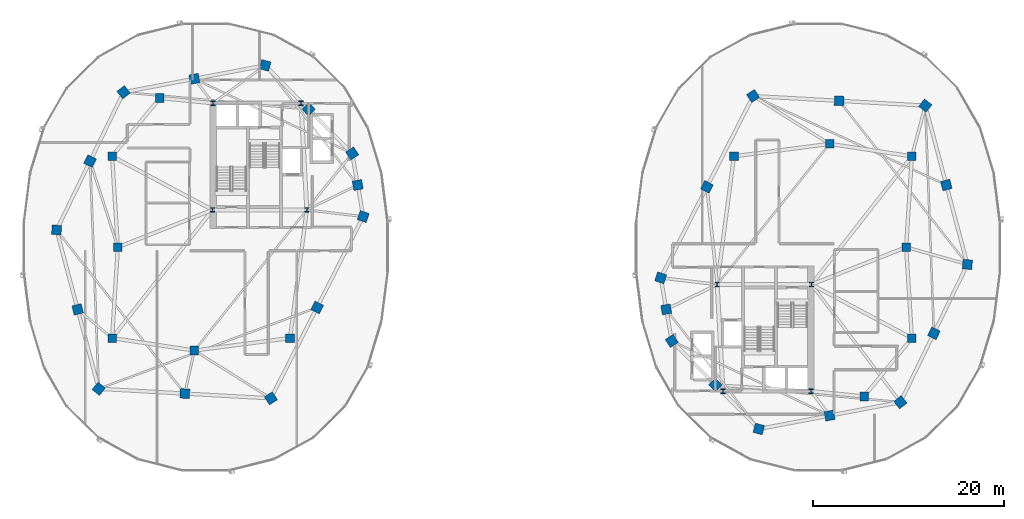
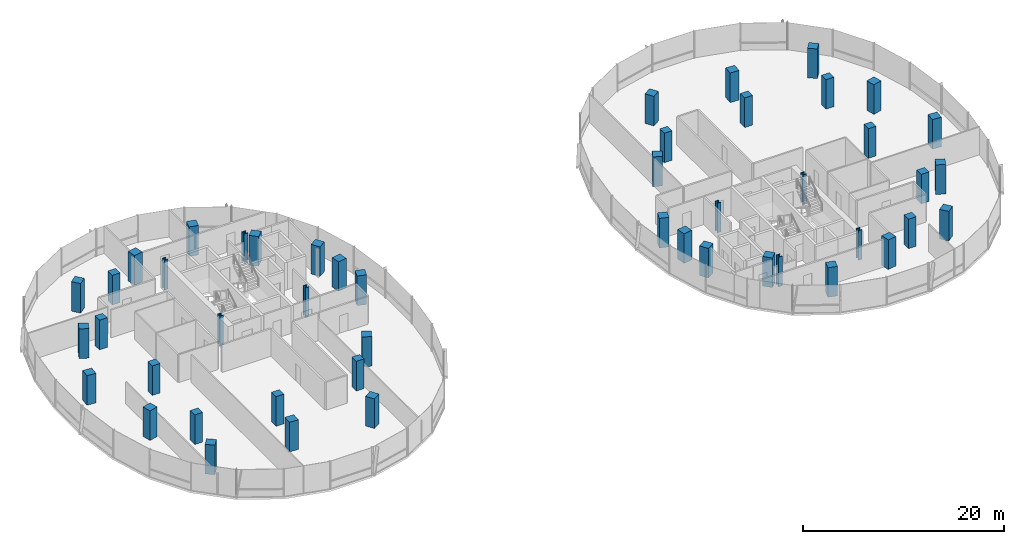
# One storey, part 1 of 22: 48 columns.
"""IFC4 building model written with IfcOpenShell, lengths in metres."""

from ifc_helpers import new_model, si_unit, direction, frame, origin, origin_2d, place, context, subcontext, project, spatial, rectangle, i_section, extrude, material, material_profile, profile_set, type_object, element, save


model = new_model("IFC4")

# Units and contexts
model_context = context("Model", 3, precision=1e-05, world=origin(), true_north=direction((0.0, 1.0)))
body_context = subcontext(model_context, "Body", "Model", "MODEL_VIEW")
ifc_project = project(units=[si_unit("LENGTHUNIT", "METRE"), si_unit("AREAUNIT", "SQUARE_METRE"), si_unit("VOLUMEUNIT", "CUBIC_METRE"), si_unit("PLANEANGLEUNIT", "RADIAN"), si_unit("MASSUNIT", "GRAM", prefix="KILO"), si_unit("THERMODYNAMICTEMPERATUREUNIT", "KELVIN"), si_unit("POWERUNIT", "WATT")], contexts=[model_context])

# Site, building, storey
site_placement = place(None, origin())
site = spatial("IfcSite", under=ifc_project, at=site_placement, CompositionType="ELEMENT")
building_placement = place(site_placement, origin())
building = spatial("IfcBuilding", under=site, at=building_placement, Name="Cundina Bronze Exchange", CompositionType="ELEMENT")
storey_placement = place(building_placement, frame((0.0, 0.0, 144.0)))
storey = spatial("IfcBuildingStorey", under=building, at=storey_placement, Name="L37", CompositionType="ELEMENT", Elevation=144.0)

# Columns
ifc_material_1 = material(Name="Steel ASTM A992 Grade 50", Category="steel")
ifc_material_profile_1 = material_profile(ifc_material_1, i_section(OverallWidth=0.431884765625, OverallDepth=0.498046875, WebThickness=0.0556640625, FlangeThickness=0.0888671875, FilletRadius=0.01806640625, at=origin_2d()), Name="W14X500", Category="steel")
ifc_profile_set_1 = profile_set([ifc_material_profile_1], Name="Steel ASTM A992 Grade 50")
column_type_1 = type_object("IfcColumnType", Name="COL-STL-W14A", PredefinedType="COLUMN", material=ifc_profile_set_1)
for number, where, z_axis, x_axis, name in (
    (1, (-31.300048828125, 3.89990234375, 0.0), (0.0, 0.0, 1.0), (1.0, 0.0, 0.0), "L37 Core Anchor Column W1"),
    (2, (-21.449951171875, 3.89990234375, 0.0), (0.0, 0.0, 1.0), (1.0, 0.0, 0.0), "L37 Core Anchor Column W2"),
    (3, (-22.050048828125, 15.050048828125, 0.0), (0.0, 0.0, 1.0), (1.0, 0.0, 0.0), "L37 Core Anchor Column W3"),
    (4, (-31.25, 15.050048828125, 0.0), (0.0, 0.0, 1.0), (1.0, 0.0, 0.0), "L37 Core Anchor Column W4"),
    (5, (31.300048828125, -3.89990234375, 0.0), (0.0, 0.0, 1.0), (1.0, 0.0, 0.0), "L37 Core Anchor Column E1"),
    (6, (21.449951171875, -3.89990234375, 0.0), (0.0, 0.0, 1.0), (1.0, 0.0, 0.0), "L37 Core Anchor Column E2"),
    (7, (22.050048828125, -15.050048828125, 0.0), (0.0, 0.0, 1.0), (1.0, 0.0, 0.0), "L37 Core Anchor Column E3"),
    (8, (31.25, -15.050048828125, 0.0), (0.0, 0.0, 1.0), (1.0, 0.0, 0.0), "L37 Core Anchor Column E4"),
):
    element("IfcColumn", number, at=place(storey_placement, frame(where, z_axis=z_axis, x_axis=x_axis)), inside=storey, type_object=column_type_1, Name=name, PredefinedType="COLUMN", context=body_context, shape_type="SweptSolid", body=[
        extrude(i_section(OverallWidth=0.431884765625, OverallDepth=0.498046875, WebThickness=0.0556640625, FlangeThickness=0.0888671875, FilletRadius=0.01806640625, at=origin_2d()), origin(), (0.0, 0.0, 1.0), 3.60009765625),
    ])
ifc_material_2 = material(Name="Concrete C50/60", Category="concrete")
ifc_material_profile_2 = material_profile(ifc_material_2, rectangle(XDim=1.0, YDim=1.0, at=origin_2d()), Name="RC1000X1000", Category="concrete")
ifc_profile_set_2 = profile_set([ifc_material_profile_2], Name="Concrete C50/60")
column_type_2 = type_object("IfcColumnType", Name="COL-Z3-1000", PredefinedType="COLUMN", material=ifc_profile_set_2)
for number, where, z_axis, x_axis, name in (
    (9, (-15.550048828125, 3.199951171875, 0.0), (0.0, 0.0, 1.0), (0.315152163383, 0.949041155016, 0.0), "L37 W Perimeter Column 00"),
    (10, (-16.125, 6.5, 0.0), (0.0, 0.0, 1.0), (-0.171585221787, 0.985169280715, 0.0), "L37 W Perimeter Column 01"),
    (11, (-16.699951171875, 9.800048828125, 0.0), (0.0, 0.0, 1.0), (-0.544199833495, 0.838955625301, 0.0), "L37 W Perimeter Column 02"),
    (12, (-21.25, 14.39990234375, 0.0), (0.0, 0.0, 1.0), (-0.703270634186, 0.710922228581, 0.0), "L37 W Perimeter Column 03"),
    (13, (-25.800048828125, 19.0, 0.0), (0.0, 0.0, 1.0), (-0.965970984022, 0.258650455301, 0.0), "L37 W Perimeter Column 04"),
    (14, (-33.199951171875, 17.60009765625, 0.0), (0.0, 0.0, 1.0), (-0.98258037664, -0.185838110843, 0.0), "L37 W Perimeter Column 05"),
    (15, (-40.60009765625, 16.199951171875, 0.0), (0.0, 0.0, 1.0), (-0.785100778485, -0.619368038909, 0.0), "L37 W Perimeter Column 06"),
    (16, (-44.10009765625, 9.0, 0.0), (0.0, 0.0, 1.0), (-0.437115766651, -0.899405251566, 0.0), "L37 W Perimeter Column 07"),
    (17, (-47.60009765625, 1.800048828125, 0.0), (0.0, 0.0, 1.0), (-0.083503921245, -0.996507448611, 0.0), "L37 W Perimeter Column 08"),
    (18, (-45.39990234375, -6.5, 0.0), (0.0, 0.0, 1.0), (0.256289373133, -0.966600102017, 0.0), "L37 W Perimeter Column 09"),
    (19, (-43.199951171875, -14.800048828125, 0.0), (0.0, 0.0, 1.0), (0.786288432137, -0.61785961309, 0.0), "L37 W Perimeter Column 10"),
    (20, (-34.199951171875, -15.300048828125, 0.0), (0.0, 0.0, 1.0), (0.998460188734, -0.055472980025, 0.0), "L37 W Perimeter Column 11"),
    (21, (-25.199951171875, -15.800048828125, 0.0), (0.0, 0.0, 1.0), (0.838099763533, 0.545516989988, 0.0), "L37 W Perimeter Column 12"),
    (22, (-20.375, -6.300048828125, 0.0), (0.0, 0.0, 1.0), (0.452901591366, 0.891560513111, 0.0), "L37 W Perimeter Column 13"),
    (23, (15.550048828125, -3.199951171875, 0.0), (0.0, 0.0, 1.0), (-0.315152163383, -0.949041155016, 0.0), "L37 E Perimeter Column 00"),
    (24, (16.125, -6.5, 0.0), (0.0, 0.0, 1.0), (0.171585221787, -0.985169280715, 0.0), "L37 E Perimeter Column 01"),
    (25, (16.699951171875, -9.800048828125, 0.0), (0.0, 0.0, 1.0), (0.544199833495, -0.838955625301, 0.0), "L37 E Perimeter Column 02"),
    (26, (21.25, -14.39990234375, 0.0), (0.0, 0.0, 1.0), (0.703270634186, -0.710922228581, 0.0), "L37 E Perimeter Column 03"),
    (27, (25.800048828125, -19.0, 0.0), (0.0, 0.0, 1.0), (0.965970984022, -0.258650455301, 0.0), "L37 E Perimeter Column 04"),
    (28, (33.199951171875, -17.60009765625, 0.0), (0.0, 0.0, 1.0), (0.98258037664, 0.185838110843, 0.0), "L37 E Perimeter Column 05"),
    (29, (40.60009765625, -16.199951171875, 0.0), (0.0, 0.0, 1.0), (0.785100778485, 0.619368038909, 0.0), "L37 E Perimeter Column 06"),
    (30, (44.10009765625, -9.0, 0.0), (0.0, 0.0, 1.0), (0.437115766651, 0.899405251566, 0.0), "L37 E Perimeter Column 07"),
    (31, (47.60009765625, -1.800048828125, 0.0), (0.0, 0.0, 1.0), (0.083503921245, 0.996507448611, 0.0), "L37 E Perimeter Column 08"),
    (32, (45.39990234375, 6.5, 0.0), (0.0, 0.0, 1.0), (-0.256289373133, 0.966600102017, 0.0), "L37 E Perimeter Column 09"),
    (33, (43.199951171875, 14.800048828125, 0.0), (0.0, 0.0, 1.0), (-0.786288432137, 0.61785961309, 0.0), "L37 E Perimeter Column 10"),
    (34, (34.199951171875, 15.300048828125, 0.0), (0.0, 0.0, 1.0), (-0.998460188734, 0.055472980025, 0.0), "L37 E Perimeter Column 11"),
    (35, (25.199951171875, 15.800048828125, 0.0), (0.0, 0.0, 1.0), (-0.838099763533, -0.545516989988, 0.0), "L37 E Perimeter Column 12"),
    (36, (20.375, 6.300048828125, 0.0), (0.0, 0.0, 1.0), (-0.452901591366, -0.891560513111, 0.0), "L37 E Perimeter Column 13"),
):
    element("IfcColumn", number, at=place(storey_placement, frame(where, z_axis=z_axis, x_axis=x_axis)), inside=storey, type_object=column_type_2, Name=name, PredefinedType="COLUMN", context=body_context, shape_type="SweptSolid", body=[
        extrude(rectangle(XDim=1.0, YDim=1.0, at=origin_2d()), origin(), (0.0, 0.0, 1.0), 3.60009765625),
    ])
ifc_material_profile_3 = material_profile(ifc_material_2, rectangle(XDim=0.89990234375, YDim=0.89990234375, at=origin_2d()), Name="RC900X900", Category="concrete")
ifc_profile_set_3 = profile_set([ifc_material_profile_3], Name="Concrete C50/60")
column_type_3 = type_object("IfcColumnType", Name="COL-Z4-900", PredefinedType="COLUMN", material=ifc_profile_set_3)
for number, where, z_axis, x_axis, name in (
    (37, (-41.199951171875, 0.0, 0.0), (0.0, 0.0, 1.0), (1.0, 0.0, 0.0), "L37 W Inner Ring Column 1"),
    (38, (-41.800048828125, 9.5, 0.0), (0.0, 0.0, 1.0), (1.0, 0.0, 0.0), "L37 W Inner Ring Column 2"),
    (39, (-36.800048828125, 15.60009765625, 0.0), (0.0, 0.0, 1.0), (1.0, 0.0, 0.0), "L37 W Inner Ring Column 3"),
    (40, (-41.800048828125, -9.5, 0.0), (0.0, 0.0, 1.0), (1.0, 0.0, 0.0), "L37 W Inner Ring Column 4"),
    (41, (-33.199951171875, -10.800048828125, 0.0), (0.0, 0.0, 1.0), (1.0, 0.0, 0.0), "L37 W Inner Ring Column 5"),
    (42, (-23.199951171875, -9.5, 0.0), (0.0, 0.0, 1.0), (1.0, 0.0, 0.0), "L37 W Inner Ring Column 6"),
    (43, (41.199951171875, 0.0, 0.0), (0.0, 0.0, 1.0), (1.0, 0.0, 0.0), "L37 E Inner Ring Column 1"),
    (44, (41.800048828125, -9.5, 0.0), (0.0, 0.0, 1.0), (1.0, 0.0, 0.0), "L37 E Inner Ring Column 2"),
    (45, (36.800048828125, -15.60009765625, 0.0), (0.0, 0.0, 1.0), (1.0, 0.0, 0.0), "L37 E Inner Ring Column 3"),
    (46, (41.800048828125, 9.5, 0.0), (0.0, 0.0, 1.0), (1.0, 0.0, 0.0), "L37 E Inner Ring Column 4"),
    (47, (33.199951171875, 10.800048828125, 0.0), (0.0, 0.0, 1.0), (1.0, 0.0, 0.0), "L37 E Inner Ring Column 5"),
    (48, (23.199951171875, 9.5, 0.0), (0.0, 0.0, 1.0), (1.0, 0.0, 0.0), "L37 E Inner Ring Column 6"),
):
    element("IfcColumn", number, at=place(storey_placement, frame(where, z_axis=z_axis, x_axis=x_axis)), inside=storey, type_object=column_type_3, Name=name, PredefinedType="COLUMN", context=body_context, shape_type="SweptSolid", body=[
        extrude(rectangle(XDim=0.89990234375, YDim=0.89990234375, at=origin_2d()), origin(), (0.0, 0.0, 1.0), 3.60009765625),
    ])

save(model, "model.ifc")
